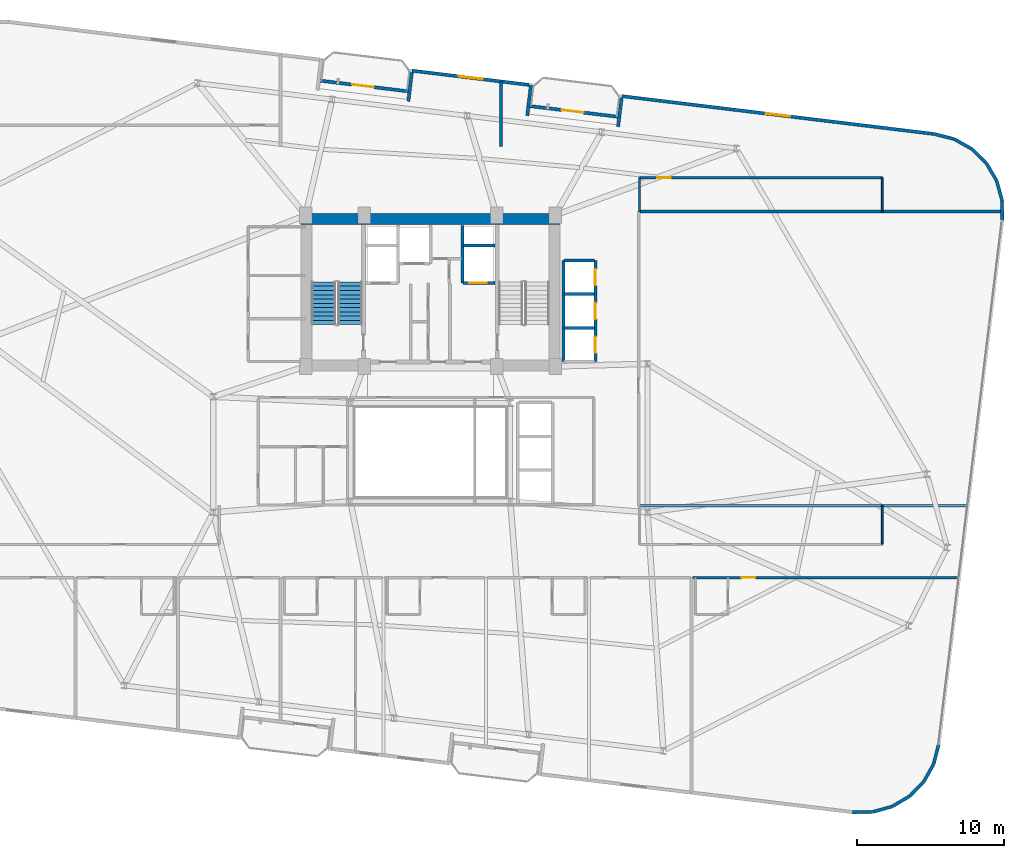
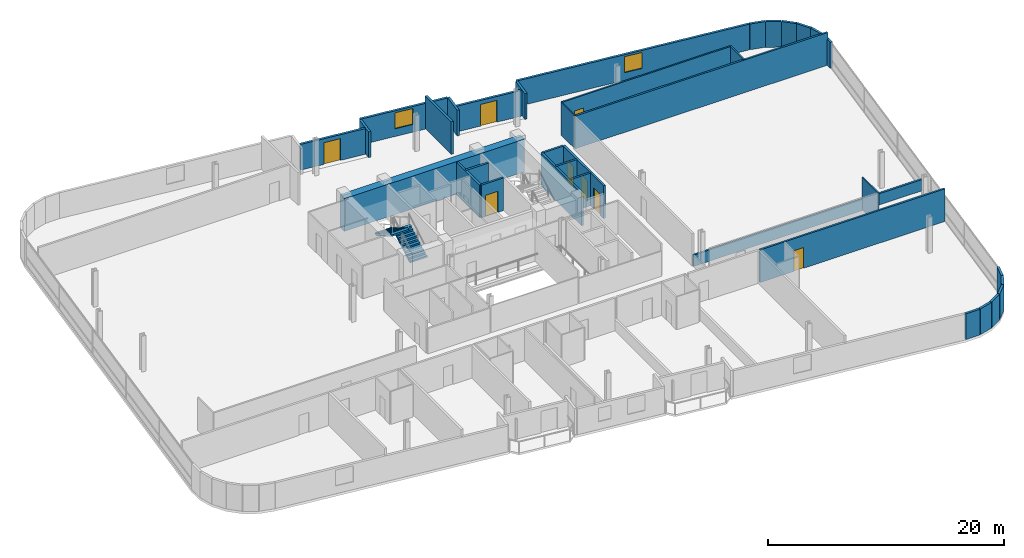
# One storey, part 23 of 26: 36 walls, 8 doors, 2 stair flights, 2 windows, 10 openings, 1 element without a shape of its own.
"""IFC4 building model written with IfcOpenShell, lengths in metres."""

import ifcopenshell
import ifcopenshell.guid

model = None  # the IFC model being written
_history = None  # IfcOwnerHistory: only IFC2X3 demands one
_inside = {}  # id of a spatial element -> (the spatial element, [elements in it])
_under = {}  # id of a project, library or spatial element -> (it, [spatial elements below it])
_declared = {}  # id of a project -> (the project, [libraries it declares])
_typed = {}  # id of a type object -> (the type object, [elements of that type])
_made_of = {}  # id of a material, layer set ... -> (it, [elements and type objects made of it])


def new_model(schema):
    """Start an empty IFC model of exactly this schema.

    Asked for "IFC4X3", IfcOpenShell would pick the latest addendum, in which some entities
    have other attributes; the version numbers below select the first issue.
    IFC2X3 requires an IfcOwnerHistory on every rooted entity: one is made here for all.
    """
    global model, _history
    if schema == "IFC4X3":
        model = ifcopenshell.file(schema_version=(4, 3, 0, 0))
    else:
        model = ifcopenshell.file(schema=schema)
    _inside.clear()
    _under.clear()
    _declared.clear()
    _typed.clear()
    _made_of.clear()
    _history = None
    if model.schema == "IFC2X3":
        org = make("IfcOrganization", Name="unknown")
        user = make(
            "IfcPersonAndOrganization",
            ThePerson=make("IfcPerson", FamilyName="unknown"),
            TheOrganization=org,
        )
        app = make(
            "IfcApplication",
            ApplicationDeveloper=org,
            Version="unknown",
            ApplicationFullName="unknown",
            ApplicationIdentifier="unknown",
        )
        _history = make(
            "IfcOwnerHistory",
            OwningUser=user,
            OwningApplication=app,
            ChangeAction="ADDED",
            CreationDate=0,
        )
    return model


def make(cls, **values):
    """One entity of the class cls with the attributes given. An attribute that is None is left unset."""
    return model.create_entity(
        cls, **{name: value for name, value in values.items() if value is not None}
    )


def rooted(cls, **values):
    """An entity with a GlobalId (a new one), such as an element, a storey or a relation."""
    return make(cls, GlobalId=ifcopenshell.guid.new(), OwnerHistory=_history, **values)


def si_unit(unit_type, name, prefix=None):
    """IfcSIUnit, for example si_unit("LENGTHUNIT", "METRE", prefix="MILLI")."""
    return make("IfcSIUnit", UnitType=unit_type, Prefix=prefix, Name=name)


def assignment(units):
    """IfcUnitAssignment: the units of a project."""
    return None if units is None else make("IfcUnitAssignment", Units=units)


def point(xyz):
    """IfcCartesianPoint."""
    return None if xyz is None else make("IfcCartesianPoint", Coordinates=xyz)


def direction(xyz):
    """IfcDirection."""
    return None if xyz is None else make("IfcDirection", DirectionRatios=xyz)


def frame(location, z_axis=None, x_axis=None):
    """IfcAxis2Placement3D, a coordinate frame: its origin and axes. An axis left out is left unset."""
    return make(
        "IfcAxis2Placement3D",
        Location=point(location),
        Axis=direction(z_axis),
        RefDirection=direction(x_axis),
    )


def frame_2d(location, x_axis=None):
    """IfcAxis2Placement2D, a coordinate frame in the plane: its origin and x axis."""
    return make(
        "IfcAxis2Placement2D", Location=point(location), RefDirection=direction(x_axis)
    )


def origin():
    """The frame at (0, 0, 0) with its axes left unset."""
    return frame((0.0, 0.0, 0.0))


def place(relative_to, where):
    """IfcLocalPlacement: puts the frame where relative to a parent placement (None: the world)."""
    return make(
        "IfcLocalPlacement", PlacementRelTo=relative_to, RelativePlacement=where
    )


def context(
    kind, dimensions, precision=None, world=None, true_north=None, identifier=None
):
    """IfcGeometricRepresentationContext, for example the 3D "Model" context."""
    return make(
        "IfcGeometricRepresentationContext",
        ContextIdentifier=identifier,
        ContextType=kind,
        CoordinateSpaceDimension=dimensions,
        Precision=precision,
        WorldCoordinateSystem=world,
        TrueNorth=true_north,
    )


def subcontext(parent, identifier, kind, view, scale=None):
    """IfcGeometricRepresentationSubContext, for example "Body" below "Model"."""
    return make(
        "IfcGeometricRepresentationSubContext",
        ContextIdentifier=identifier,
        ContextType=kind,
        ParentContext=parent,
        TargetScale=scale,
        TargetView=view,
    )


def project(units=None, contexts=None):
    """IfcProject with its units and contexts."""
    return rooted(
        "IfcProject",
        Name="project",
        RepresentationContexts=contexts,
        UnitsInContext=assignment(units),
    )


def spatial(cls, under=None, at=None, **own):
    """A site, building, storey or space (cls), placed at a placement, below another one or the project."""
    s = rooted(cls, ObjectPlacement=at, **own)
    if under is not None:
        _under.setdefault(under.id(), (under, []))[1].append(s)
    return s


def polyline(points):
    """IfcPolyline through the points."""
    return make("IfcPolyline", Points=[point(p) for p in points])


def profile(cls, at=None, kind="AREA", **sizes):
    """A parametric profile (cls). Its sizes go by their IFC names, for example OverallWidth=200.0."""
    return make(cls, ProfileType=kind, Position=at, **sizes)


def rectangle(**sizes):
    """IfcRectangleProfileDef."""
    return profile("IfcRectangleProfileDef", **sizes)


def outline(outer, holes=None, kind="AREA"):
    """IfcArbitraryClosedProfileDef: a profile drawn as a closed curve; with holes, ...WithVoids."""
    if holes is None:
        return make("IfcArbitraryClosedProfileDef", ProfileType=kind, OuterCurve=outer)
    return make(
        "IfcArbitraryProfileDefWithVoids",
        ProfileType=kind,
        OuterCurve=outer,
        InnerCurves=holes,
    )


def extrude(swept, where, along, depth):
    """IfcExtrudedAreaSolid: the profile swept, set in the frame where, extruded along a direction by depth."""
    return make(
        "IfcExtrudedAreaSolid",
        SweptArea=swept,
        Position=where,
        ExtrudedDirection=direction(along),
        Depth=depth,
    )


def shape(context_of_items, identifier, shape_type, items):
    """IfcShapeRepresentation: the items that make up one representation, for example the "Body"."""
    return make(
        "IfcShapeRepresentation",
        ContextOfItems=context_of_items,
        RepresentationIdentifier=identifier,
        RepresentationType=shape_type,
        Items=items,
    )


def material(Name=None, Category=None):
    """IfcMaterial."""
    return make("IfcMaterial", Name=Name, Category=Category)


def layer(
    of_material, thickness, ventilated=None, Name=None, Category=None, Priority=None
):
    """IfcMaterialLayer: one layer of a wall or slab, of a material (None: an air gap)."""
    return make(
        "IfcMaterialLayer",
        Material=of_material,
        LayerThickness=thickness,
        IsVentilated=ventilated,
        Name=Name,
        Category=Category,
        Priority=Priority,
    )


def layer_set(layers, Name=None):
    """IfcMaterialLayerSet."""
    return make("IfcMaterialLayerSet", MaterialLayers=layers, LayerSetName=Name)


def made_of(thing, what):
    """Note that an element or type object is made of a material, layer set ...; save() writes the relation."""
    if what is not None:
        _made_of.setdefault(what.id(), (what, []))[1].append(thing)
    return thing


def type_object(cls, material=None, **own):
    """A type object (cls), such as IfcWallType, which elements share."""
    return made_of(rooted(cls, **own), material)


def element(
    cls,
    number,
    at=None,
    inside=None,
    cuts=None,
    type_object=None,
    material=None,
    context=None,
    identifier="Body",
    shape_type=None,
    held_by="IfcProductDefinitionShape",
    body=None,
    shapes=None,
    **own,
):
    """One element of the class cls, such as IfcWall. Its Tag is "e" and its number.

    at: its placement. inside: the storey or other place that contains it. cuts: it is an
    opening in that element (IfcRelVoidsElement). A single representation is given by context,
    identifier, shape_type and body (its items); several are given by shapes. held_by: the class
    of the entity that holds the representations. save() writes the other relations.
    """
    e = rooted(cls, Tag="e%d" % number, ObjectPlacement=at, **own)
    if body is not None:
        shapes = [shape(context, identifier, shape_type, body)]
    if shapes is not None:
        e.Representation = make(held_by, Representations=shapes)
    if inside is not None:
        _inside.setdefault(inside.id(), (inside, []))[1].append(e)
    if cuts is not None:
        rooted(
            "IfcRelVoidsElement", RelatingBuildingElement=cuts, RelatedOpeningElement=e
        )
    if type_object is not None:
        _typed.setdefault(type_object.id(), (type_object, []))[1].append(e)
    return made_of(e, material)


def fill(opening, filler):
    """IfcRelFillsElement: the door or window that sits in an opening."""
    return rooted(
        "IfcRelFillsElement",
        RelatingOpeningElement=opening,
        RelatedBuildingElement=filler,
    )


def aggregate(whole, parts):
    """IfcRelAggregates: a whole, such as a stair, and the parts it consists of."""
    return rooted("IfcRelAggregates", RelatingObject=whole, RelatedObjects=parts)


def save(model, path):
    """Write the relations noted so far, then the file.

    IfcRelAggregates (storeys below a building ...), IfcRelContainedInSpatialStructure (elements
    in a storey), IfcRelDefinesByType, IfcRelAssociatesMaterial and IfcRelDeclares: one each for
    every whole, place, type object, material and project.
    """
    for whole, parts in _under.values():
        aggregate(whole, parts)
    for where, things in _inside.values():
        rooted(
            "IfcRelContainedInSpatialStructure",
            RelatedElements=things,
            RelatingStructure=where,
        )
    for kind, things in _typed.values():
        rooted("IfcRelDefinesByType", RelatedObjects=things, RelatingType=kind)
    for what, things in _made_of.values():
        rooted("IfcRelAssociatesMaterial", RelatedObjects=things, RelatingMaterial=what)
    for by, libraries in _declared.values():
        rooted("IfcRelDeclares", RelatingContext=by, RelatedDefinitions=libraries)
    model.write(path)


model = new_model("IFC4")

# Units and contexts
model_context = context("Model", 3, precision=1e-05, world=origin(), true_north=direction((0.0, 1.0)))
body_context = subcontext(model_context, "Body", "Model", "MODEL_VIEW")
ifc_project = project(units=[si_unit("LENGTHUNIT", "METRE"), si_unit("AREAUNIT", "SQUARE_METRE"), si_unit("VOLUMEUNIT", "CUBIC_METRE"), si_unit("PLANEANGLEUNIT", "RADIAN"), si_unit("MASSUNIT", "GRAM", prefix="KILO")], contexts=[model_context])

# Site, building, storey
site_placement = place(None, origin())
site = spatial("IfcSite", under=ifc_project, at=site_placement, CompositionType="ELEMENT")
building_placement = place(site_placement, origin())
building = spatial("IfcBuilding", under=site, at=building_placement, Name="Varnelok Gate Tower", CompositionType="ELEMENT")
storey_placement = place(building_placement, frame((0.0, 0.0, 158.699951171875)))
storey = spatial("IfcBuildingStorey", under=building, at=storey_placement, Name="L40", CompositionType="ELEMENT", Elevation=158.699951171875)

# Wall, opening, door
ifc_material_1 = material(Name="Concrete C45/55", Category="concrete")
ifc_layer_1 = layer(ifc_material_1, 0.219970703125)
ifc_layer_set_1 = layer_set([ifc_layer_1], Name="Concrete C45/55")
wall_type_1 = type_object("IfcWallType", Name="EW-BALC-220", PredefinedType="SOLIDWALL", material=ifc_layer_set_1)
wall_1_placement = place(storey_placement, frame((31.70361328125, 48.21875, 0.0), z_axis=(0.0, 0.0, 1.0), x_axis=(0.992730541282, -0.12035810071, 0.0)))
wall_1 = element("IfcWall", 1, at=wall_1_placement, inside=storey, type_object=wall_type_1, Name="L40 North Terrace Envelope Wall 3", PredefinedType="SOLIDWALL", context=body_context, shape_type="SweptSolid", body=[
    extrude(rectangle(XDim=6.000244140625, YDim=0.219970703125, at=frame_2d((3.0, 0.0))), origin(), (0.0, 0.0, 1.0), 2.66015625),
])
opening_1_placement = place(wall_1_placement, frame((2.176025390625, 0.0, 0.0)))
opening_1 = element("IfcOpeningElement", 2, at=opening_1_placement, cuts=wall_1, Name="Opening BD-1", PredefinedType="OPENING", context=body_context, shape_type="SweptSolid", body=[
    extrude(rectangle(XDim=1.5, YDim=2.25, at=frame_2d((0.75, 1.125))), frame((0.0, 0.119873046875, 0.0), z_axis=(0.0, -1.0, 0.0), x_axis=(1.0, 0.0, 0.0)), (0.0, 0.0, 1.0), 0.239990234375),
])
ifc_material_2 = material(Name="Anodized Aluminum Alloy 6063-T6", Category="aluminium")
door_type_1 = type_object("IfcDoorType", Name="DR-EXT-BALC1500", OperationType="NOTDEFINED", PredefinedType="DOOR", material=ifc_material_2)
door_1_placement = place(opening_1_placement, origin())
door_1 = element("IfcDoor", 3, at=door_1_placement, inside=storey, type_object=door_type_1, Name="L40 North Balcony Glazed Door 3", OperationType="SINGLE_SWING_RIGHT", OverallHeight=2.25, OverallWidth=1.5, PredefinedType="DOOR", context=body_context, shape_type="SweptSolid", body=[
    extrude(rectangle(XDim=1.5, YDim=2.25, at=frame_2d((0.75, 1.125))), frame((0.0, 0.02490234375, 0.0), z_axis=(0.0, -1.0, 0.0), x_axis=(1.0, 0.0, 0.0)), (0.0, 0.0, 1.0), 0.050048828125),
])
fill(opening_1, door_1)

wall_2_placement = place(storey_placement, frame((45.9990234375, 46.485595703125, 0.0), z_axis=(0.0, 0.0, 1.0), x_axis=(0.992734813078, -0.120322861101, 0.0)))
wall_2 = element("IfcWall", 4, at=wall_2_placement, inside=storey, type_object=wall_type_1, Name="L40 North Terrace Envelope Wall 4", PredefinedType="SOLIDWALL", context=body_context, shape_type="SweptSolid", body=[
    extrude(rectangle(XDim=6.0, YDim=0.219970703125, at=frame_2d((3.0, 0.0))), origin(), (0.0, 0.0, 1.0), 2.66015625),
])
opening_2_placement = place(wall_2_placement, frame((2.176025390625, 0.0, 0.0)))
opening_2 = element("IfcOpeningElement", 5, at=opening_2_placement, cuts=wall_2, Name="Opening BD-1", PredefinedType="OPENING", context=body_context, shape_type="SweptSolid", body=[
    extrude(rectangle(XDim=1.5, YDim=2.25, at=frame_2d((0.75, 1.125))), frame((0.0, 0.119873046875, 0.0), z_axis=(0.0, -1.0, 0.0), x_axis=(1.0, 0.0, 0.0)), (0.0, 0.0, 1.0), 0.239990234375),
])
door_2_placement = place(opening_2_placement, origin())
door_2 = element("IfcDoor", 6, at=door_2_placement, inside=storey, type_object=door_type_1, Name="L40 North Balcony Glazed Door 4", OperationType="SINGLE_SWING_LEFT", OverallHeight=2.25, OverallWidth=1.5, PredefinedType="DOOR", context=body_context, shape_type="SweptSolid", body=[
    extrude(rectangle(XDim=1.5, YDim=2.25, at=frame_2d((0.75, 1.125))), frame((0.0, 0.02490234375, 0.0), z_axis=(0.0, -1.0, 0.0), x_axis=(1.0, 0.0, 0.0)), (0.0, 0.0, 1.0), 0.050048828125),
])
fill(opening_2, door_2)

# Walls
wall_3_placement = place(storey_placement, frame((67.984375, -1.63671875, 0.0), z_axis=(0.0, 0.0, 1.0), x_axis=(0.999945887077, 0.010403024475, 0.0)))
element("IfcWall", 7, at=wall_3_placement, inside=storey, type_object=wall_type_1, Name="L40 Perimeter Facade Closure Wall 14", PredefinedType="SOLIDWALL", context=body_context, shape_type="SweptSolid", body=[
    extrude(rectangle(XDim=1.361083984375, YDim=0.219970703125, at=frame_2d((0.6806640625, 0.0))), origin(), (0.0, 0.0, 1.0), 2.66015625),
])
wall_4_placement = place(storey_placement, frame((69.369384765625, -1.615966796875, 0.0), z_axis=(0.0, 0.0, 1.0), x_axis=(0.963194128812, 0.268806752562, 0.0)))
element("IfcWall", 8, at=wall_4_placement, inside=storey, type_object=wall_type_1, Name="L40 Perimeter Facade Closure Wall 15", PredefinedType="SOLIDWALL", context=body_context, shape_type="SweptSolid", body=[
    extrude(rectangle(XDim=1.353271484375, YDim=0.219970703125, at=frame_2d((0.6767578125, 0.0))), origin(), (0.0, 0.0, 1.0), 2.66015625),
])
for number, where, z_axis, x_axis, name in (
    (9, (70.6943359375, -1.239501953125, 0.0), (0.0, 0.0, 1.0), (0.860865455241, 0.508832652228, 0.0), "L40 Perimeter Facade Closure Wall 16"),
    (10, (71.876708984375, -0.533203125, 0.0), (0.0, 0.0, 1.0), (0.69976104234, 0.714376989847, 0.0), "L40 Perimeter Facade Closure Wall 17"),
    (11, (72.835693359375, 0.455078125, 0.0), (0.0, 0.0, 1.0), (0.491117621399, 0.871093268227, 0.0), "L40 Perimeter Facade Closure Wall 18"),
):
    element("IfcWall", number, at=place(storey_placement, frame(where, z_axis=z_axis, x_axis=x_axis)), inside=storey, type_object=wall_type_1, Name=name, PredefinedType="SOLIDWALL", context=body_context, shape_type="SweptSolid", body=[
        extrude(rectangle(XDim=1.35302734375, YDim=0.219970703125, at=frame_2d((0.676513671875, 0.0))), origin(), (0.0, 0.0, 1.0), 2.66015625),
    ])
wall_5_placement = place(storey_placement, frame((73.506591796875, 1.658203125, 0.0), z_axis=(0.0, 0.0, 1.0), x_axis=(0.248857256909, 0.968540172468, 0.0)))
element("IfcWall", 12, at=wall_5_placement, inside=storey, type_object=wall_type_1, Name="L40 Perimeter Facade Closure Wall 19", PredefinedType="SOLIDWALL", context=body_context, shape_type="SweptSolid", body=[
    extrude(rectangle(XDim=1.352783203125, YDim=0.219970703125, at=frame_2d((0.67626953125, 0.0))), origin(), (0.0, 0.0, 1.0), 2.66015625),
])
wall_6_placement = place(storey_placement, frame((78.175537109375, 38.706787109375, 0.0), z_axis=(0.0, 0.0, 1.0), x_axis=(-0.010096916637, 0.999949024838, 0.0)))
element("IfcWall", 13, at=wall_6_placement, inside=storey, type_object=wall_type_1, Name="L40 Perimeter Facade Closure Wall 20", PredefinedType="SOLIDWALL", context=body_context, shape_type="SweptSolid", body=[
    extrude(rectangle(XDim=1.378173828125, YDim=0.219970703125, at=frame_2d((0.68896484375, 0.0))), origin(), (0.0, 0.0, 1.0), 2.66015625),
])
wall_7_placement = place(storey_placement, frame((78.15478515625, 40.10888671875, 0.0), z_axis=(0.0, 0.0, 1.0), x_axis=(-0.268639368869, 0.963240826322, 0.0)))
element("IfcWall", 14, at=wall_7_placement, inside=storey, type_object=wall_type_1, Name="L40 Perimeter Facade Closure Wall 21", PredefinedType="SOLIDWALL", context=body_context, shape_type="SweptSolid", body=[
    extrude(rectangle(XDim=1.353271484375, YDim=0.219970703125, at=frame_2d((0.6767578125, 0.0))), origin(), (0.0, 0.0, 1.0), 2.66015625),
])
for number, where, z_axis, x_axis, name in (
    (15, (77.7783203125, 41.433837890625, 0.0), (0.0, 0.0, 1.0), (-0.508698913794, 0.860944490142, 0.0), "L40 Perimeter Facade Closure Wall 22"),
    (16, (77.072265625, 42.6162109375, 0.0), (0.0, 0.0, 1.0), (-0.714376989847, 0.69976104234, 0.0), "L40 Perimeter Facade Closure Wall 23"),
    (17, (76.083740234375, 43.5751953125, 0.0), (0.0, 0.0, 1.0), (-0.871093268227, 0.491117621399, 0.0), "L40 Perimeter Facade Closure Wall 24"),
):
    element("IfcWall", number, at=place(storey_placement, frame(where, z_axis=z_axis, x_axis=x_axis)), inside=storey, type_object=wall_type_1, Name=name, PredefinedType="SOLIDWALL", context=body_context, shape_type="SweptSolid", body=[
        extrude(rectangle(XDim=1.35302734375, YDim=0.219970703125, at=frame_2d((0.676513671875, 0.0))), origin(), (0.0, 0.0, 1.0), 2.66015625),
    ])
wall_8_placement = place(storey_placement, frame((74.880859375, 44.24609375, 0.0), z_axis=(0.0, 0.0, 1.0), x_axis=(-0.968549775063, 0.248819881091, 0.0)))
element("IfcWall", 18, at=wall_8_placement, inside=storey, type_object=wall_type_1, Name="L40 Perimeter Facade Closure Wall 25", PredefinedType="SOLIDWALL", context=body_context, shape_type="SweptSolid", body=[
    extrude(rectangle(XDim=1.36083984375, YDim=0.219970703125, at=frame_2d((0.680419921875, 0.0))), origin(), (0.0, 0.0, 1.0), 2.66015625),
])

# Wall, opening, window
wall_9_placement = place(storey_placement, frame((73.537841796875, 44.587890625, 0.0), z_axis=(0.0, 0.0, 1.0), x_axis=(-0.992733493583, 0.120333747213, 0.0)))
wall_9 = element("IfcWall", 19, at=wall_9_placement, inside=storey, type_object=wall_type_1, Name="L40 Perimeter Facade Closure Wall 26", PredefinedType="SOLIDWALL", context=body_context, shape_type="SweptSolid", body=[
    extrude(rectangle(XDim=21.447021484375, YDim=0.219970703125, at=frame_2d((10.7236328125, 0.0))), origin(), (0.0, 0.0, 1.0), 2.66015625),
])
opening_3_placement = place(wall_9_placement, frame((9.898681640625, 0.0, 0.800048828125)))
opening_3 = element("IfcOpeningElement", 20, at=opening_3_placement, cuts=wall_9, Name="Opening WN3", PredefinedType="OPENING", context=body_context, shape_type="SweptSolid", body=[
    extrude(rectangle(XDim=1.64990234375, YDim=1.64990234375, at=frame_2d((0.824951171875, 0.824951171875))), frame((0.0, 0.119873046875, 0.0), z_axis=(0.0, -1.0, 0.0), x_axis=(1.0, 0.0, 0.0)), (0.0, 0.0, 1.0), 0.239990234375),
])
ifc_material_3 = material(Name="Low-E Laminated Double Glazing IGU", Category="glass")
window_type = type_object("IfcWindowType", Name="WN-HTL-1650", PartitioningType="SINGLE_PANEL", PredefinedType="WINDOW", material=ifc_material_3)
window_1_placement = place(opening_3_placement, origin())
window_1 = element("IfcWindow", 21, at=window_1_placement, inside=storey, type_object=window_type, Name="L40 Perimeter Vision Window 26", OverallHeight=1.64990234375, OverallWidth=1.64990234375, PartitioningType="SINGLE_PANEL", PredefinedType="WINDOW", context=body_context, shape_type="SweptSolid", body=[
    extrude(rectangle(XDim=1.64990234375, YDim=1.64990234375, at=frame_2d((0.824951171875, 0.824951171875))), frame((0.0, 0.030029296875, 0.0), z_axis=(0.0, -1.0, 0.0), x_axis=(1.0, 0.0, 0.0)), (0.0, 0.0, 1.0), 0.06005859375),
])
fill(opening_3, window_1)

# Walls
wall_10_placement = place(storey_placement, frame((52.2314453125, 47.044677734375, 0.0), z_axis=(0.0, 0.0, 1.0), x_axis=(-0.120275992932, -0.992740492538, 0.0)))
element("IfcWall", 22, at=wall_10_placement, inside=storey, type_object=wall_type_1, Name="L40 Perimeter Facade Closure Wall 27", PredefinedType="SOLIDWALL", context=body_context, shape_type="SweptSolid", body=[
    extrude(rectangle(XDim=1.97509765625, YDim=0.219970703125, at=frame_2d((0.987548828125, 0.0))), origin(), (0.0, 0.0, 1.0), 2.66015625),
])
wall_11_placement = place(storey_placement, frame((45.79931640625, 45.8349609375, 0.0), z_axis=(0.0, 0.0, 1.0), x_axis=(0.120314009587, 0.992735885871, 0.0)))
element("IfcWall", 23, at=wall_11_placement, inside=storey, type_object=wall_type_1, Name="L40 Perimeter Facade Closure Wall 28", PredefinedType="SOLIDWALL", context=body_context, shape_type="SweptSolid", body=[
    extrude(rectangle(XDim=2.10009765625, YDim=0.219970703125, at=frame_2d((1.050048828125, 0.0))), origin(), (0.0, 0.0, 1.0), 2.66015625),
])

# Wall, opening, window
wall_12_placement = place(storey_placement, frame((45.927734375, 47.934814453125, 0.0), z_axis=(0.0, 0.0, 1.0), x_axis=(-0.992730591876, 0.120357683402, 0.0)))
wall_12 = element("IfcWall", 24, at=wall_12_placement, inside=storey, type_object=wall_type_1, Name="L40 Perimeter Facade Closure Wall 29", PredefinedType="SOLIDWALL", context=body_context, shape_type="SweptSolid", body=[
    extrude(rectangle(XDim=8.03466796875, YDim=0.219970703125, at=frame_2d((4.017333984375, 0.0))), origin(), (0.0, 0.0, 1.0), 2.66015625),
])
opening_4_placement = place(wall_12_placement, frame((3.1923828125, 0.0, 0.800048828125)))
opening_4 = element("IfcOpeningElement", 25, at=opening_4_placement, cuts=wall_12, Name="Opening WN3", PredefinedType="OPENING", context=body_context, shape_type="SweptSolid", body=[
    extrude(rectangle(XDim=1.64990234375, YDim=1.64990234375, at=frame_2d((0.824951171875, 0.824951171875))), frame((0.0, 0.119873046875, 0.0), z_axis=(0.0, -1.0, 0.0), x_axis=(1.0, 0.0, 0.0)), (0.0, 0.0, 1.0), 0.239990234375),
])
window_2_placement = place(opening_4_placement, origin())
window_2 = element("IfcWindow", 26, at=window_2_placement, inside=storey, type_object=window_type, Name="L40 Perimeter Vision Window 29", OverallHeight=1.64990234375, OverallWidth=1.64990234375, PartitioningType="SINGLE_PANEL", PredefinedType="WINDOW", context=body_context, shape_type="SweptSolid", body=[
    extrude(rectangle(XDim=1.64990234375, YDim=1.64990234375, at=frame_2d((0.824951171875, 0.824951171875))), frame((0.0, 0.030029296875, 0.0), z_axis=(0.0, -1.0, 0.0), x_axis=(1.0, 0.0, 0.0)), (0.0, 0.0, 1.0), 0.06005859375),
])
fill(opening_4, window_2)

# Wall
wall_13_placement = place(storey_placement, frame((37.936279296875, 48.777587890625, 0.0), z_axis=(0.0, 0.0, 1.0), x_axis=(-0.120397815541, -0.992725725472, 0.0)))
element("IfcWall", 27, at=wall_13_placement, inside=storey, type_object=wall_type_1, Name="L40 Perimeter Facade Closure Wall 30", PredefinedType="SOLIDWALL", context=body_context, shape_type="SweptSolid", body=[
    extrude(rectangle(XDim=1.97509765625, YDim=0.219970703125, at=frame_2d((0.987548828125, 0.0))), origin(), (0.0, 0.0, 1.0), 2.66015625),
])

# Wall, opening, door
ifc_material_4 = material(Name="Gypsum Plasterboard Acoustic Partition", Category="gypsum")
ifc_layer_2 = layer(ifc_material_4, 0.179931640625)
ifc_layer_set_2 = layer_set([ifc_layer_2], Name="Gypsum Plasterboard Acoustic Partition")
wall_type_2 = type_object("IfcWallType", Name="PW-CORR-180", PredefinedType="PARTITIONING", material=ifc_layer_set_2)
wall_14_placement = place(storey_placement, frame((57.080078125, 14.35009765625, 0.0), z_axis=(0.0, 0.0, 1.0), x_axis=(1.0, 0.0, 0.0)))
wall_14 = element("IfcWall", 28, at=wall_14_placement, inside=storey, type_object=wall_type_2, Name="Interior Partition", PredefinedType="PARTITIONING", context=body_context, shape_type="SweptSolid", body=[
    extrude(rectangle(XDim=18.083740234375, YDim=0.179931640625, at=frame_2d((9.0419921875, 0.0))), origin(), (0.0, 0.0, 1.0), 3.380126953125),
])
opening_5_placement = place(wall_14_placement, frame((3.320068359375, 0.0, 0.0)))
opening_5 = element("IfcOpeningElement", 29, at=opening_5_placement, cuts=wall_14, Name="Opening D-HT", PredefinedType="OPENING", context=body_context, shape_type="SweptSolid", body=[
    extrude(rectangle(XDim=0.949951171875, YDim=2.14990234375, at=frame_2d((0.47509765625, 1.074951171875))), frame((0.0, 0.099853515625, 0.0), z_axis=(0.0, -1.0, 0.0), x_axis=(1.0, 0.0, 0.0)), (0.0, 0.0, 1.0), 0.199951171875),
])
ifc_material_5 = material(Name="Engineered Hardwood Timber", Category="wood")
door_type_2 = type_object("IfcDoorType", Name="DR-HTL-950", OperationType="NOTDEFINED", PredefinedType="DOOR", material=ifc_material_5)
door_3_placement = place(opening_5_placement, origin())
door_3 = element("IfcDoor", 30, at=door_3_placement, inside=storey, type_object=door_type_2, Name="L40 Guest Room 08 Entrance Door", OperationType="SINGLE_SWING_LEFT", OverallHeight=2.14990234375, OverallWidth=0.949951171875, PredefinedType="DOOR", context=body_context, shape_type="SweptSolid", body=[
    extrude(rectangle(XDim=0.949951171875, YDim=2.14990234375, at=frame_2d((0.47509765625, 1.074951171875))), frame((0.0, 0.02490234375, 0.0), z_axis=(0.0, -1.0, 0.0), x_axis=(1.0, 0.0, 0.0)), (0.0, 0.0, 1.0), 0.050048828125),
])
fill(opening_5, door_3)

# Walls
wall_15_placement = place(storey_placement, frame((53.389892578125, 19.239990234375, 0.0), z_axis=(0.0, 0.0, 1.0), x_axis=(1.0, 0.0, 0.0)))
element("IfcWall", 31, at=wall_15_placement, inside=storey, type_object=wall_type_2, Name="Interior Partition", PredefinedType="PARTITIONING", context=body_context, shape_type="SweptSolid", body=[
    extrude(rectangle(XDim=22.36669921875, YDim=0.179931640625, at=frame_2d((11.183349609375, 0.0))), origin(), (0.0, 0.0, 1.0), 1.1650390625),
])
wall_16_placement = place(storey_placement, frame((53.389892578125, 39.300048828125, 0.0), z_axis=(0.0, 0.0, 1.0), x_axis=(1.0, 0.0, 0.0)))
element("IfcWall", 32, at=wall_16_placement, inside=storey, type_object=wall_type_2, Name="Interior Partition", PredefinedType="PARTITIONING", context=body_context, shape_type="SweptSolid", body=[
    extrude(rectangle(XDim=24.73974609375, YDim=0.179931640625, at=frame_2d((12.369873046875, 0.0))), origin(), (0.0, 0.0, 1.0), 3.380126953125),
])
ifc_layer_3 = layer(ifc_material_4, 0.125)
ifc_layer_set_3 = layer_set([ifc_layer_3], Name="Gypsum Plasterboard Acoustic Partition")
wall_type_3 = type_object("IfcWallType", Name="PW-PART-125", PredefinedType="PARTITIONING", material=ifc_layer_set_3)
wall_17_placement = place(storey_placement, frame((70.0, 16.610107421875, 0.0), z_axis=(0.0, 0.0, 1.0), x_axis=(0.0, 1.0, 0.0)))
element("IfcWall", 33, at=wall_17_placement, inside=storey, type_object=wall_type_3, Name="Interior Partition", PredefinedType="PARTITIONING", context=body_context, shape_type="SweptSolid", body=[
    extrude(rectangle(XDim=2.6298828125, YDim=0.125, at=frame_2d((1.31494140625, 0.0))), origin(), (0.0, 0.0, 1.0), 3.380126953125),
])
for number, where, z_axis, x_axis, name in (
    (34, (53.449951171875, 39.300048828125, 0.0), (0.0, 0.0, 1.0), (0.0, 1.0, 0.0), "Interior Partition"),
    (35, (70.0, 39.300048828125, 0.0), (0.0, 0.0, 1.0), (0.0, 1.0, 0.0), "Interior Partition"),
):
    element("IfcWall", number, at=place(storey_placement, frame(where, z_axis=z_axis, x_axis=x_axis)), inside=storey, type_object=wall_type_3, Name=name, PredefinedType="PARTITIONING", context=body_context, shape_type="SweptSolid", body=[
        extrude(rectangle(XDim=2.31005859375, YDim=0.125, at=frame_2d((1.155029296875, 0.0))), origin(), (0.0, 0.0, 1.0), 3.380126953125),
    ])

# Wall, opening, door
ifc_layer_4 = layer(ifc_material_4, 0.14990234375)
ifc_layer_set_4 = layer_set([ifc_layer_4], Name="Gypsum Plasterboard Acoustic Partition")
wall_type_4 = type_object("IfcWallType", Name="PW-PART-150", PredefinedType="PARTITIONING", material=ifc_layer_set_4)
wall_18_placement = place(storey_placement, frame((53.449951171875, 41.610107421875, 0.0), z_axis=(0.0, 0.0, 1.0), x_axis=(1.0, 0.0, 0.0)))
wall_18 = element("IfcWall", 36, at=wall_18_placement, inside=storey, type_object=wall_type_4, Name="Interior Partition", PredefinedType="PARTITIONING", context=body_context, shape_type="SweptSolid", body=[
    extrude(rectangle(XDim=16.550048828125, YDim=0.14990234375, at=frame_2d((8.27490234375, 0.0))), origin(), (0.0, 0.0, 1.0), 3.380126953125),
])
opening_6_placement = place(wall_18_placement, frame((1.219970703125, 0.0, 0.0)))
opening_6 = element("IfcOpeningElement", 37, at=opening_6_placement, cuts=wall_18, Name="Opening D-I3", PredefinedType="OPENING", context=body_context, shape_type="SweptSolid", body=[
    extrude(rectangle(XDim=0.919921875, YDim=2.050048828125, at=frame_2d((0.4599609375, 1.02490234375))), frame((0.0, 0.0849609375, 0.0), z_axis=(0.0, -1.0, 0.0), x_axis=(1.0, 0.0, 0.0)), (0.0, 0.0, 1.0), 0.169921875),
])
door_type_3 = type_object("IfcDoorType", Name="DR-INT-920", OperationType="NOTDEFINED", PredefinedType="DOOR", material=ifc_material_5)
door_4_placement = place(opening_6_placement, origin())
door_4 = element("IfcDoor", 38, at=door_4_placement, inside=storey, type_object=door_type_3, Name="L40 North Study 2 Door", OperationType="SINGLE_SWING_RIGHT", OverallHeight=2.050048828125, OverallWidth=0.919921875, PredefinedType="DOOR", context=body_context, shape_type="SweptSolid", body=[
    extrude(rectangle(XDim=0.919921875, YDim=2.050048828125, at=frame_2d((0.4599609375, 1.02490234375))), frame((0.0, 0.02490234375, 0.0), z_axis=(0.0, -1.0, 0.0), x_axis=(1.0, 0.0, 0.0)), (0.0, 0.0, 1.0), 0.050048828125),
])
fill(opening_6, door_4)

# Wall
ifc_layer_5 = layer(ifc_material_4, 0.205078125)
ifc_layer_set_5 = layer_set([ifc_layer_5], Name="Gypsum Plasterboard Acoustic Partition")
wall_type_5 = type_object("IfcWallType", Name="PW-PARTY-200", PredefinedType="PARTITIONING", material=ifc_layer_set_5)
wall_19_placement = place(storey_placement, frame((44.0, 43.72998046875, 0.0), z_axis=(0.0, 0.0, 1.0), x_axis=(0.0, 1.0, 0.0)))
element("IfcWall", 39, at=wall_19_placement, inside=storey, type_object=wall_type_5, Name="L40 North Party Wall 2", PredefinedType="PARTITIONING", context=body_context, shape_type="SweptSolid", body=[
    extrude(rectangle(XDim=4.41845703125, YDim=0.205078125, at=frame_2d((2.209228515625, 0.0))), origin(), (0.0, 0.0, 1.0), 3.380126953125),
])

# Wall, opening, door
ifc_material_6 = material(Name="Concrete C35/45", Category="concrete")
ifc_layer_6 = layer(ifc_material_6, 0.199951171875)
ifc_layer_set_6 = layer_set([ifc_layer_6], Name="Concrete C35/45")
wall_type_6 = type_object("IfcWallType", Name="PW-SHAFT-200", PredefinedType="PARTITIONING", material=ifc_layer_set_6)
wall_20_placement = place(storey_placement, frame((41.419921875, 34.43994140625, 0.0), z_axis=(0.0, 0.0, 1.0), x_axis=(1.0, 0.0, 0.0)))
wall_20 = element("IfcWall", 40, at=wall_20_placement, inside=storey, type_object=wall_type_6, Name="L40 FF2 Shaft Front Wall", PredefinedType="PARTITIONING", context=body_context, shape_type="SweptSolid", body=[
    extrude(rectangle(XDim=2.18017578125, YDim=0.199951171875, at=frame_2d((1.090087890625, 0.0))), origin(), (0.0, 0.0, 1.0), 3.380126953125),
])
opening_7_placement = place(wall_20_placement, frame((0.419921875, 0.0, 0.0)))
opening_7 = element("IfcOpeningElement", 41, at=opening_7_placement, cuts=wall_20, Name="Opening LD-FF2", PredefinedType="OPENING", context=body_context, shape_type="SweptSolid", body=[
    extrude(rectangle(XDim=1.199951171875, YDim=2.199951171875, at=frame_2d((0.60009765625, 1.10009765625))), frame((0.0, 0.10986328125, 0.0), z_axis=(0.0, -1.0, 0.0), x_axis=(1.0, 0.0, 0.0)), (0.0, 0.0, 1.0), 0.219970703125),
])
ifc_material_7 = material(Name="Galvanized Steel Grade S350GD", Category="steel")
door_type_4 = type_object("IfcDoorType", Name="DR-LIFT-FF1200", OperationType="SLIDING_TO_LEFT", PredefinedType="DOOR", material=ifc_material_7)
door_5_placement = place(opening_7_placement, origin())
door_5 = element("IfcDoor", 42, at=door_5_placement, inside=storey, type_object=door_type_4, Name="L40 Firefighting Lift Landing Door LD-FF2", OperationType="SLIDING_TO_LEFT", OverallHeight=2.199951171875, OverallWidth=1.199951171875, PredefinedType="DOOR", context=body_context, shape_type="SweptSolid", body=[
    extrude(rectangle(XDim=1.199951171875, YDim=2.199951171875, at=frame_2d((0.60009765625, 1.10009765625))), frame((0.0, 0.02490234375, 0.0), z_axis=(0.0, -1.0, 0.0), x_axis=(1.0, 0.0, 0.0)), (0.0, 0.0, 1.0), 0.050048828125),
])
fill(opening_7, door_5)

# Walls
wall_21_placement = place(storey_placement, frame((41.419921875, 36.97998046875, 0.0), z_axis=(0.0, 0.0, 1.0), x_axis=(1.0, 0.0, 0.0)))
element("IfcWall", 43, at=wall_21_placement, inside=storey, type_object=wall_type_6, Name="L40 FF2 Shaft North Wall", PredefinedType="PARTITIONING", context=body_context, shape_type="SweptSolid", body=[
    extrude(rectangle(XDim=2.18017578125, YDim=0.199951171875, at=frame_2d((1.090087890625, 0.0))), origin(), (0.0, 0.0, 1.0), 3.380126953125),
])
wall_22_placement = place(storey_placement, frame((41.39990234375, 34.43994140625, 0.0), z_axis=(0.0, 0.0, 1.0), x_axis=(0.0, 1.0, 0.0)))
element("IfcWall", 44, at=wall_22_placement, inside=storey, type_object=wall_type_6, Name="L40 FF2 Shaft Side Wall", PredefinedType="PARTITIONING", context=body_context, shape_type="SweptSolid", body=[
    extrude(rectangle(XDim=3.900146484375, YDim=0.199951171875, at=frame_2d((1.9501953125, 0.0))), origin(), (0.0, 0.0, 1.0), 3.380126953125),
])
for number, where, z_axis, x_axis, name in (
    (45, (48.320068359375, 31.375, 0.0), (0.0, 0.0, 1.0), (1.0, 0.0, 0.0), "L40 PM1 Divider"),
    (46, (48.320068359375, 33.675048828125, 0.0), (0.0, 0.0, 1.0), (1.0, 0.0, 0.0), "L40 PM2 Divider"),
    (47, (48.320068359375, 35.969970703125, 0.0), (0.0, 0.0, 1.0), (1.0, 0.0, 0.0), "L40 PM Bank North Wall"),
):
    element("IfcWall", number, at=place(storey_placement, frame(where, z_axis=z_axis, x_axis=x_axis)), inside=storey, type_object=wall_type_6, Name=name, PredefinedType="PARTITIONING", context=body_context, shape_type="SweptSolid", body=[
        extrude(rectangle(XDim=2.059814453125, YDim=0.199951171875, at=frame_2d((1.02978515625, 0.0))), origin(), (0.0, 0.0, 1.0), 3.380126953125),
    ])
wall_23_placement = place(storey_placement, frame((48.280029296875, 29.080078125, 0.0), z_axis=(0.0, 0.0, 1.0), x_axis=(0.0, 1.0, 0.0)))
element("IfcWall", 48, at=wall_23_placement, inside=storey, type_object=wall_type_6, Name="L40 PM Bank Back Wall", PredefinedType="PARTITIONING", context=body_context, shape_type="SweptSolid", body=[
    extrude(rectangle(XDim=6.889892578125, YDim=0.199951171875, at=frame_2d((3.44482421875, 0.0))), origin(), (0.0, 0.0, 1.0), 3.380126953125),
])

# Wall, openings, doors
wall_24_placement = place(storey_placement, frame((50.43994140625, 29.080078125, 0.0), z_axis=(0.0, 0.0, 1.0), x_axis=(0.0, 1.0, 0.0)))
wall_24 = element("IfcWall", 49, at=wall_24_placement, inside=storey, type_object=wall_type_6, Name="L40 PM Bank Front Wall", PredefinedType="PARTITIONING", context=body_context, shape_type="SweptSolid", body=[
    extrude(rectangle(XDim=6.889892578125, YDim=0.199951171875, at=frame_2d((3.44482421875, 0.0))), origin(), (0.0, 0.0, 1.0), 3.380126953125),
])
opening_8_placement = place(wall_24_placement, frame((0.590087890625, 0.0, 0.0)))
opening_8 = element("IfcOpeningElement", 50, at=opening_8_placement, cuts=wall_24, Name="Opening LD-PM1", PredefinedType="OPENING", context=body_context, shape_type="SweptSolid", body=[
    extrude(rectangle(XDim=1.10009765625, YDim=2.14990234375, at=frame_2d((0.550048828125, 1.074951171875))), frame((0.0, 0.10986328125, 0.0), z_axis=(0.0, -1.0, 0.0), x_axis=(1.0, 0.0, 0.0)), (0.0, 0.0, 1.0), 0.219970703125),
])
opening_9_placement = place(wall_24_placement, frame((2.889892578125, 0.0, 0.0)))
opening_9 = element("IfcOpeningElement", 51, at=opening_9_placement, cuts=wall_24, Name="Opening LD-PM2", PredefinedType="OPENING", context=body_context, shape_type="SweptSolid", body=[
    extrude(rectangle(XDim=1.10009765625, YDim=2.14990234375, at=frame_2d((0.550048828125, 1.074951171875))), frame((0.0, 0.10986328125, 0.0), z_axis=(0.0, -1.0, 0.0), x_axis=(1.0, 0.0, 0.0)), (0.0, 0.0, 1.0), 0.219970703125),
])
opening_10_placement = place(wall_24_placement, frame((5.18994140625, 0.0, 0.0)))
opening_10 = element("IfcOpeningElement", 52, at=opening_10_placement, cuts=wall_24, Name="Opening LD-PM3", PredefinedType="OPENING", context=body_context, shape_type="SweptSolid", body=[
    extrude(rectangle(XDim=1.10009765625, YDim=2.14990234375, at=frame_2d((0.550048828125, 1.074951171875))), frame((0.0, 0.10986328125, 0.0), z_axis=(0.0, -1.0, 0.0), x_axis=(1.0, 0.0, 0.0)), (0.0, 0.0, 1.0), 0.219970703125),
])
door_type_5 = type_object("IfcDoorType", Name="DR-LIFT-PAX1100", OperationType="SLIDING_TO_LEFT", PredefinedType="DOOR", material=ifc_material_7)
door_6_placement = place(opening_8_placement, origin())
door_6 = element("IfcDoor", 53, at=door_6_placement, inside=storey, type_object=door_type_5, Name="L40 Passenger Lift Landing Door LD-PM1", OperationType="SLIDING_TO_LEFT", OverallHeight=2.14990234375, OverallWidth=1.10009765625, PredefinedType="DOOR", context=body_context, shape_type="SweptSolid", body=[
    extrude(rectangle(XDim=1.10009765625, YDim=2.14990234375, at=frame_2d((0.550048828125, 1.074951171875))), frame((0.0, 0.02490234375, 0.0), z_axis=(0.0, -1.0, 0.0), x_axis=(1.0, 0.0, 0.0)), (0.0, 0.0, 1.0), 0.050048828125),
])
fill(opening_8, door_6)
door_7_placement = place(opening_9_placement, origin())
door_7 = element("IfcDoor", 54, at=door_7_placement, inside=storey, type_object=door_type_5, Name="L40 Passenger Lift Landing Door LD-PM2", OperationType="SLIDING_TO_LEFT", OverallHeight=2.14990234375, OverallWidth=1.10009765625, PredefinedType="DOOR", context=body_context, shape_type="SweptSolid", body=[
    extrude(rectangle(XDim=1.10009765625, YDim=2.14990234375, at=frame_2d((0.550048828125, 1.074951171875))), frame((0.0, 0.02490234375, 0.0), z_axis=(0.0, -1.0, 0.0), x_axis=(1.0, 0.0, 0.0)), (0.0, 0.0, 1.0), 0.050048828125),
])
fill(opening_9, door_7)
door_8_placement = place(opening_10_placement, origin())
door_8 = element("IfcDoor", 55, at=door_8_placement, inside=storey, type_object=door_type_5, Name="L40 Passenger Lift Landing Door LD-PM3", OperationType="SLIDING_TO_LEFT", OverallHeight=2.14990234375, OverallWidth=1.10009765625, PredefinedType="DOOR", context=body_context, shape_type="SweptSolid", body=[
    extrude(rectangle(XDim=1.10009765625, YDim=2.14990234375, at=frame_2d((0.550048828125, 1.074951171875))), frame((0.0, 0.02490234375, 0.0), z_axis=(0.0, -1.0, 0.0), x_axis=(1.0, 0.0, 0.0)), (0.0, 0.0, 1.0), 0.050048828125),
])
fill(opening_10, door_8)

# Wall
ifc_material_8 = material(Name="Concrete C70/85", Category="concrete")
ifc_layer_7 = layer(ifc_material_8, 0.75)
ifc_layer_set_7 = layer_set([ifc_layer_7], Name="Concrete C70/85")
wall_type_7 = type_object("IfcWallType", Name="SW-CORE-750", PredefinedType="SHEAR", material=ifc_layer_set_7)
wall_25_placement = place(storey_placement, frame((30.3798828125, 38.794921875, 0.0), z_axis=(0.0, 0.0, 1.0), x_axis=(1.0, 0.0, 0.0)))
element("IfcWall", 56, at=wall_25_placement, inside=storey, type_object=wall_type_7, Name="L40 Rear Core North Shear Wall", PredefinedType="SHEAR", context=body_context, shape_type="SweptSolid", body=[
    extrude(rectangle(XDim=17.64013671875, YDim=0.75, at=frame_2d((8.820068359375, 0.0))), origin(), (0.0, 0.0, 1.0), 3.380126953125),
])

# Stair, stair flights
ifc_material_9 = material(Name="Concrete C50/60", Category="concrete")
stair_type = type_object("IfcStairType", Name="STR-CORE-1650", PredefinedType="HALF_TURN_STAIR", material=ifc_material_9)
stair_placement = place(storey_placement, origin())
stair = element("IfcStair", 57, at=stair_placement, inside=storey, type_object=stair_type, Name="L40 Exit Stair ST-1", PredefinedType="HALF_TURN_STAIR")
stair_flight_type = type_object("IfcStairFlightType", Name="SFL-CORE-1650", PredefinedType="STRAIGHT", material=ifc_material_9)
stair_flight_1_placement = place(storey_placement, frame((33.72509765625, 31.60009765625, 0.0), z_axis=(0.0, 0.0, 1.0), x_axis=(0.0, 1.0, 0.0)))
stair_flight_1 = element("IfcStairFlight", 58, at=stair_flight_1_placement, type_object=stair_flight_type, Name="ST-1 flight 1", NumberOfRisers=11, NumberOfTreads=10, PredefinedType="STRAIGHT", RiserHeight=0.168181818, TreadLength=0.29, context=body_context, shape_type="SweptSolid", body=[
    extrude(outline(polyline([(0.0, 0.0), (0.0, 0.168212890625), (0.2900390625, 0.168212890625), (0.2900390625, 0.33642578125), (0.580078125, 0.33642578125), (0.580078125, 0.504638671875), (0.8701171875, 0.504638671875), (0.8701171875, 0.672607421875), (1.159912109375, 0.672607421875), (1.159912109375, 0.8408203125), (1.449951171875, 0.8408203125), (1.449951171875, 1.009033203125), (1.739990234375, 1.009033203125), (1.739990234375, 1.17724609375), (2.030029296875, 1.17724609375), (2.030029296875, 1.345458984375), (2.320068359375, 1.345458984375), (2.320068359375, 1.513671875), (2.610107421875, 1.513671875), (2.610107421875, 1.681884765625), (2.89990234375, 1.681884765625), (2.89990234375, 1.85009765625), (2.89990234375, 1.508544921875), (0.298828125, 0.0), (0.0, 0.0)])), frame((0.0, 0.824951171875, 0.0), z_axis=(0.0, -1.0, 0.0), x_axis=(1.0, 0.0, 0.0)), (0.0, 0.0, 1.0), 1.64990234375),
])
stair_flight_2_placement = place(storey_placement, frame((31.925048828125, 34.5, 1.85009765625), z_axis=(0.0, 0.0, 1.0), x_axis=(0.0, -1.0, 0.0)))
stair_flight_2 = element("IfcStairFlight", 59, at=stair_flight_2_placement, type_object=stair_flight_type, Name="ST-1 flight 2", NumberOfRisers=11, NumberOfTreads=10, PredefinedType="STRAIGHT", RiserHeight=0.168181818, TreadLength=0.29, context=body_context, shape_type="SweptSolid", body=[
    extrude(outline(polyline([(0.0, 0.0), (0.0, 0.168212890625), (0.2900390625, 0.168212890625), (0.2900390625, 0.33642578125), (0.580078125, 0.33642578125), (0.580078125, 0.504638671875), (0.8701171875, 0.504638671875), (0.8701171875, 0.672607421875), (1.159912109375, 0.672607421875), (1.159912109375, 0.8408203125), (1.449951171875, 0.8408203125), (1.449951171875, 1.009033203125), (1.739990234375, 1.009033203125), (1.739990234375, 1.17724609375), (2.030029296875, 1.17724609375), (2.030029296875, 1.345458984375), (2.320068359375, 1.345458984375), (2.320068359375, 1.513671875), (2.610107421875, 1.513671875), (2.610107421875, 1.681884765625), (2.89990234375, 1.681884765625), (2.89990234375, 1.85009765625), (2.89990234375, 1.508544921875), (0.298828125, 0.0), (0.0, 0.0)])), frame((0.0, 0.824951171875, 0.0), z_axis=(0.0, -1.0, 0.0), x_axis=(1.0, 0.0, 0.0)), (0.0, 0.0, 1.0), 1.64990234375),
])
aggregate(stair, [stair_flight_1, stair_flight_2])

save(model, "model.ifc")
